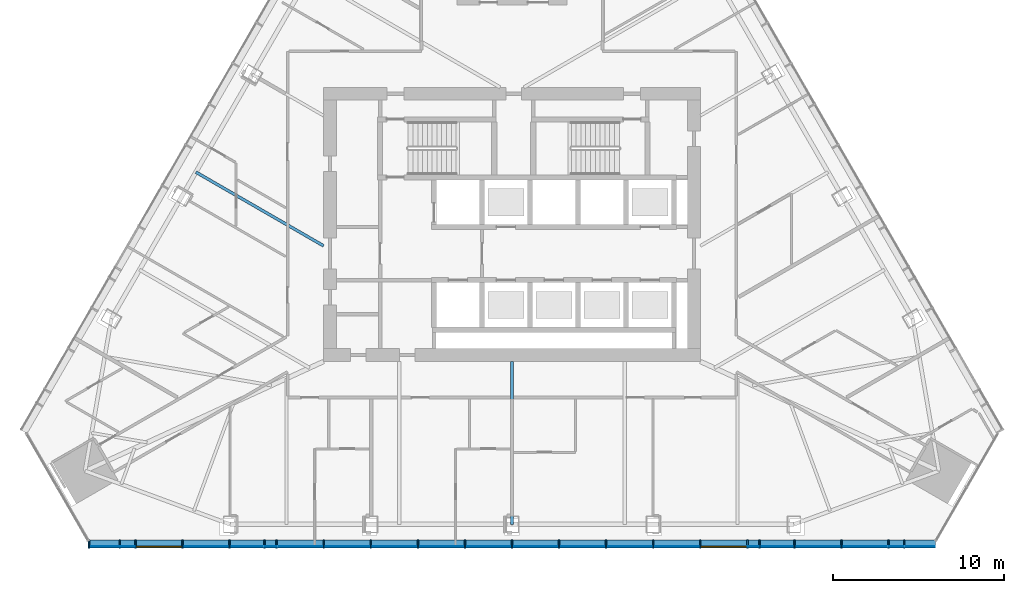
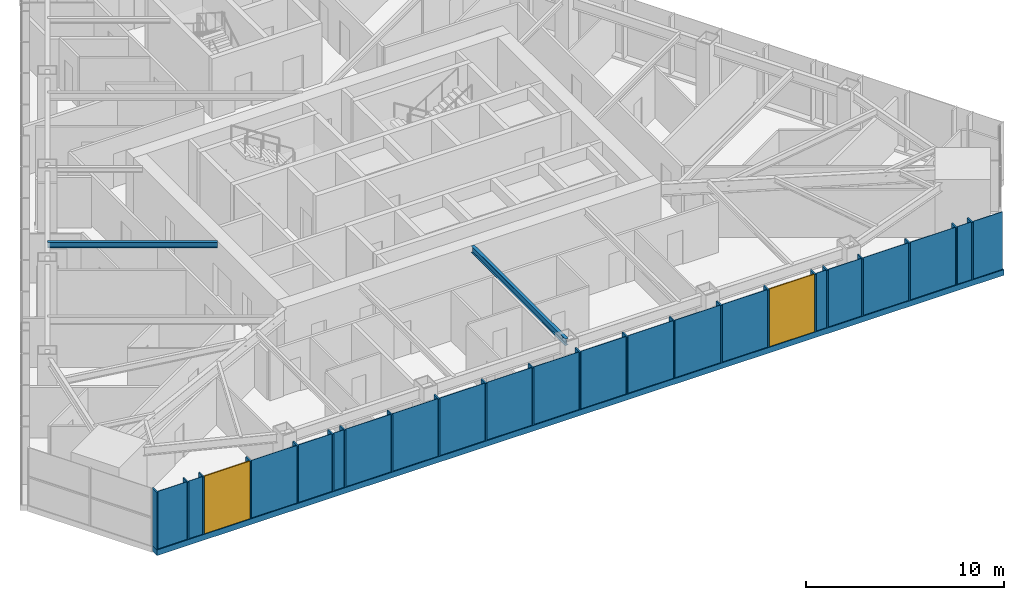
# One storey, part 3 of 16: 23 members, 20 plates, 2 beams, 2 windows, 2 openings, 1 element without a shape of its own.
"""IFC4 building model written with IfcOpenShell, lengths in metres."""

from ifc_helpers import new_model, si_unit, direction, frame, frame_2d, origin, origin_2d, place, context, subcontext, project, spatial, polyline, rectangle, i_section, outline, extrude, material, layer, layer_set, material_profile, profile_set, type_object, element, fill, aggregate, save


model = new_model("IFC4")

# Units and contexts
model_context = context("Model", 3, precision=1e-05, world=origin(), true_north=direction((0.0, 1.0)))
body_context = subcontext(model_context, "Body", "Model", "MODEL_VIEW")
ifc_project = project(units=[si_unit("LENGTHUNIT", "METRE"), si_unit("AREAUNIT", "SQUARE_METRE"), si_unit("VOLUMEUNIT", "CUBIC_METRE"), si_unit("PLANEANGLEUNIT", "RADIAN"), si_unit("MASSUNIT", "GRAM", prefix="KILO")], contexts=[model_context])

# Site, building, storey
site_placement = place(None, origin())
site = spatial("IfcSite", under=ifc_project, at=site_placement, CompositionType="ELEMENT")
building_placement = place(site_placement, origin())
building = spatial("IfcBuilding", under=site, at=building_placement, Name="Firuza Gate Tower and Library", CompositionType="ELEMENT")
storey_placement = place(building_placement, frame((0.0, 0.0, 229.89990234375)))
storey = spatial("IfcBuildingStorey", under=building, at=storey_placement, Name="L54", CompositionType="ELEMENT", Elevation=229.89990234375)

# Curtain wall, openings, members
ifc_material_1 = material(Name="Aluminium 6063-T6", Category="aluminium")
ifc_layer_1 = layer(ifc_material_1, 0.14990234375)
ifc_layer_set_1 = layer_set([ifc_layer_1], Name="Unitised curtain wall, hotel")
curtain_wall_type = type_object("IfcCurtainWallType", Name="Unitised curtain wall, hotel", PredefinedType="NOTDEFINED", material=ifc_layer_set_1)
curtain_wall_placement = place(storey_placement, origin())
curtain_wall = element("IfcCurtainWall", 1, at=curtain_wall_placement, inside=storey, type_object=curtain_wall_type, Name="CW2 L54 S face", PredefinedType="NOTDEFINED")
opening_1_placement = place(curtain_wall_placement, frame((53.066650390625, 56.19091796875, 0.150146484375), z_axis=(0.0, 0.0, 1.0), x_axis=(1.0, 0.0, 0.0)))
opening_1 = element("IfcOpeningElement", 2, at=opening_1_placement, cuts=curtain_wall, Name="Opening WD1-003", PredefinedType="OPENING", context=body_context, shape_type="SweptSolid", body=[
    extrude(rectangle(XDim=2.666748046875, YDim=3.550048828125, at=frame_2d((1.33349609375, 1.77490234375))), frame((0.0, 0.0849609375, 0.0), z_axis=(0.0, -1.0, 0.0), x_axis=(1.0, 0.0, 0.0)), (0.0, 0.0, 1.0), 0.169921875),
])
opening_2_placement = place(curtain_wall_placement, frame((86.026611328125, 56.19091796875, 0.150146484375), z_axis=(0.0, 0.0, 1.0), x_axis=(1.0, 0.0, 0.0)))
opening_2 = element("IfcOpeningElement", 3, at=opening_2_placement, cuts=curtain_wall, Name="Opening WD1-004", PredefinedType="OPENING", context=body_context, shape_type="SweptSolid", body=[
    extrude(rectangle(XDim=2.666748046875, YDim=3.550048828125, at=frame_2d((1.33349609375, 1.77490234375))), frame((0.0, 0.0849609375, 0.0), z_axis=(0.0, -1.0, 0.0), x_axis=(1.0, 0.0, 0.0)), (0.0, 0.0, 1.0), 0.169921875),
])
ifc_material_2 = material(Name="Aluminium 6063-T6", Category="aluminium")
ifc_material_profile_1 = material_profile(ifc_material_2, rectangle(XDim=0.47998046875, YDim=0.080078125, at=origin_2d()))
ifc_profile_set_1 = profile_set([ifc_material_profile_1], Name="Aluminium 6063-T6")
member_type_1 = type_object("IfcMemberType", Name="Curtain wall mullion 80x480", PredefinedType="MULLION", material=ifc_profile_set_1)
member_1_placement = place(storey_placement, frame((50.320068359375, 56.35595703125, 0.150146484375), z_axis=(0.0, 0.0, 1.0), x_axis=(0.0, 1.0, 0.0)))
member_1 = element("IfcMember", 4, at=member_1_placement, type_object=member_type_1, Name="Mullion", PredefinedType="MULLION", context=body_context, shape_type="SweptSolid", body=[
    extrude(rectangle(XDim=0.47998046875, YDim=0.080078125, at=origin_2d()), origin(), (0.0, 0.0, 1.0), 3.550048828125),
])
member_2_placement = place(storey_placement, frame((53.026611328125, 56.35595703125, 0.150146484375), z_axis=(0.0, 0.0, 1.0), x_axis=(0.0, 1.0, 0.0)))
member_2 = element("IfcMember", 5, at=member_2_placement, type_object=member_type_1, Name="Mullion", PredefinedType="MULLION", context=body_context, shape_type="SweptSolid", body=[
    extrude(rectangle(XDim=0.47998046875, YDim=0.080078125, at=origin_2d()), origin(), (0.0, 0.0, 1.0), 3.550048828125),
])
member_3_placement = place(storey_placement, frame((55.7734375, 56.35595703125, 0.150146484375), z_axis=(0.0, 0.0, 1.0), x_axis=(0.0, 1.0, 0.0)))
member_3 = element("IfcMember", 6, at=member_3_placement, type_object=member_type_1, Name="Mullion", PredefinedType="MULLION", context=body_context, shape_type="SweptSolid", body=[
    extrude(rectangle(XDim=0.47998046875, YDim=0.080078125, at=origin_2d()), origin(), (0.0, 0.0, 1.0), 3.550048828125),
])
member_4_placement = place(storey_placement, frame((58.52001953125, 56.35595703125, 0.150146484375), z_axis=(0.0, 0.0, 1.0), x_axis=(0.0, 1.0, 0.0)))
member_4 = element("IfcMember", 7, at=member_4_placement, type_object=member_type_1, Name="Mullion", PredefinedType="MULLION", context=body_context, shape_type="SweptSolid", body=[
    extrude(rectangle(XDim=0.47998046875, YDim=0.080078125, at=origin_2d()), origin(), (0.0, 0.0, 1.0), 3.550048828125),
])
member_5_placement = place(storey_placement, frame((61.2666015625, 56.35595703125, 0.150146484375), z_axis=(0.0, 0.0, 1.0), x_axis=(0.0, 1.0, 0.0)))
member_5 = element("IfcMember", 8, at=member_5_placement, type_object=member_type_1, Name="Mullion", PredefinedType="MULLION", context=body_context, shape_type="SweptSolid", body=[
    extrude(rectangle(XDim=0.47998046875, YDim=0.080078125, at=origin_2d()), origin(), (0.0, 0.0, 1.0), 3.550048828125),
])
member_6_placement = place(storey_placement, frame((64.013427734375, 56.35595703125, 0.150146484375), z_axis=(0.0, 0.0, 1.0), x_axis=(0.0, 1.0, 0.0)))
member_6 = element("IfcMember", 9, at=member_6_placement, type_object=member_type_1, Name="Mullion", PredefinedType="MULLION", context=body_context, shape_type="SweptSolid", body=[
    extrude(rectangle(XDim=0.47998046875, YDim=0.080078125, at=origin_2d()), origin(), (0.0, 0.0, 1.0), 3.550048828125),
])
member_7_placement = place(storey_placement, frame((66.760009765625, 56.35595703125, 0.150146484375), z_axis=(0.0, 0.0, 1.0), x_axis=(0.0, 1.0, 0.0)))
member_7 = element("IfcMember", 10, at=member_7_placement, type_object=member_type_1, Name="Mullion", PredefinedType="MULLION", context=body_context, shape_type="SweptSolid", body=[
    extrude(rectangle(XDim=0.47998046875, YDim=0.080078125, at=origin_2d()), origin(), (0.0, 0.0, 1.0), 3.550048828125),
])
member_8_placement = place(storey_placement, frame((69.506591796875, 56.35595703125, 0.150146484375), z_axis=(0.0, 0.0, 1.0), x_axis=(0.0, 1.0, 0.0)))
member_8 = element("IfcMember", 11, at=member_8_placement, type_object=member_type_1, Name="Mullion", PredefinedType="MULLION", context=body_context, shape_type="SweptSolid", body=[
    extrude(rectangle(XDim=0.47998046875, YDim=0.080078125, at=origin_2d()), origin(), (0.0, 0.0, 1.0), 3.550048828125),
])
member_9_placement = place(storey_placement, frame((72.25341796875, 56.35595703125, 0.150146484375), z_axis=(0.0, 0.0, 1.0), x_axis=(0.0, 1.0, 0.0)))
member_9 = element("IfcMember", 12, at=member_9_placement, type_object=member_type_1, Name="Mullion", PredefinedType="MULLION", context=body_context, shape_type="SweptSolid", body=[
    extrude(rectangle(XDim=0.47998046875, YDim=0.080078125, at=origin_2d()), origin(), (0.0, 0.0, 1.0), 3.550048828125),
])
member_10_placement = place(storey_placement, frame((75.0, 56.35595703125, 0.150146484375), z_axis=(0.0, 0.0, 1.0), x_axis=(0.0, 1.0, 0.0)))
member_10 = element("IfcMember", 13, at=member_10_placement, type_object=member_type_1, Name="Mullion", PredefinedType="MULLION", context=body_context, shape_type="SweptSolid", body=[
    extrude(rectangle(XDim=0.47998046875, YDim=0.080078125, at=origin_2d()), origin(), (0.0, 0.0, 1.0), 3.550048828125),
])
member_11_placement = place(storey_placement, frame((77.74658203125, 56.35595703125, 0.150146484375), z_axis=(0.0, 0.0, 1.0), x_axis=(0.0, 1.0, 0.0)))
member_11 = element("IfcMember", 14, at=member_11_placement, type_object=member_type_1, Name="Mullion", PredefinedType="MULLION", context=body_context, shape_type="SweptSolid", body=[
    extrude(rectangle(XDim=0.47998046875, YDim=0.080078125, at=origin_2d()), origin(), (0.0, 0.0, 1.0), 3.550048828125),
])
member_12_placement = place(storey_placement, frame((80.493408203125, 56.35595703125, 0.150146484375), z_axis=(0.0, 0.0, 1.0), x_axis=(0.0, 1.0, 0.0)))
member_12 = element("IfcMember", 15, at=member_12_placement, type_object=member_type_1, Name="Mullion", PredefinedType="MULLION", context=body_context, shape_type="SweptSolid", body=[
    extrude(rectangle(XDim=0.47998046875, YDim=0.080078125, at=origin_2d()), origin(), (0.0, 0.0, 1.0), 3.550048828125),
])
member_13_placement = place(storey_placement, frame((83.239990234375, 56.35595703125, 0.150146484375), z_axis=(0.0, 0.0, 1.0), x_axis=(0.0, 1.0, 0.0)))
member_13 = element("IfcMember", 16, at=member_13_placement, type_object=member_type_1, Name="Mullion", PredefinedType="MULLION", context=body_context, shape_type="SweptSolid", body=[
    extrude(rectangle(XDim=0.47998046875, YDim=0.080078125, at=origin_2d()), origin(), (0.0, 0.0, 1.0), 3.550048828125),
])
member_14_placement = place(storey_placement, frame((85.986572265625, 56.35595703125, 0.150146484375), z_axis=(0.0, 0.0, 1.0), x_axis=(0.0, 1.0, 0.0)))
member_14 = element("IfcMember", 17, at=member_14_placement, type_object=member_type_1, Name="Mullion", PredefinedType="MULLION", context=body_context, shape_type="SweptSolid", body=[
    extrude(rectangle(XDim=0.47998046875, YDim=0.080078125, at=origin_2d()), origin(), (0.0, 0.0, 1.0), 3.550048828125),
])
member_15_placement = place(storey_placement, frame((88.7333984375, 56.35595703125, 0.150146484375), z_axis=(0.0, 0.0, 1.0), x_axis=(0.0, 1.0, 0.0)))
member_15 = element("IfcMember", 18, at=member_15_placement, type_object=member_type_1, Name="Mullion", PredefinedType="MULLION", context=body_context, shape_type="SweptSolid", body=[
    extrude(rectangle(XDim=0.47998046875, YDim=0.080078125, at=origin_2d()), origin(), (0.0, 0.0, 1.0), 3.550048828125),
])
member_16_placement = place(storey_placement, frame((91.47998046875, 56.35595703125, 0.150146484375), z_axis=(0.0, 0.0, 1.0), x_axis=(0.0, 1.0, 0.0)))
member_16 = element("IfcMember", 19, at=member_16_placement, type_object=member_type_1, Name="Mullion", PredefinedType="MULLION", context=body_context, shape_type="SweptSolid", body=[
    extrude(rectangle(XDim=0.47998046875, YDim=0.080078125, at=origin_2d()), origin(), (0.0, 0.0, 1.0), 3.550048828125),
])
member_17_placement = place(storey_placement, frame((94.2265625, 56.35595703125, 0.150146484375), z_axis=(0.0, 0.0, 1.0), x_axis=(0.0, 1.0, 0.0)))
member_17 = element("IfcMember", 20, at=member_17_placement, type_object=member_type_1, Name="Mullion", PredefinedType="MULLION", context=body_context, shape_type="SweptSolid", body=[
    extrude(rectangle(XDim=0.47998046875, YDim=0.080078125, at=origin_2d()), origin(), (0.0, 0.0, 1.0), 3.550048828125),
])
member_18_placement = place(storey_placement, frame((96.973388671875, 56.35595703125, 0.150146484375), z_axis=(0.0, 0.0, 1.0), x_axis=(0.0, 1.0, 0.0)))
member_18 = element("IfcMember", 21, at=member_18_placement, type_object=member_type_1, Name="Mullion", PredefinedType="MULLION", context=body_context, shape_type="SweptSolid", body=[
    extrude(rectangle(XDim=0.47998046875, YDim=0.080078125, at=origin_2d()), origin(), (0.0, 0.0, 1.0), 3.550048828125),
])
member_19_placement = place(storey_placement, frame((52.108642578125, 56.35595703125, 0.150146484375), z_axis=(0.0, 0.0, 1.0), x_axis=(0.0, 1.0, 0.0)))
member_19 = element("IfcMember", 22, at=member_19_placement, type_object=member_type_1, Name="Mullion", PredefinedType="MULLION", context=body_context, shape_type="SweptSolid", body=[
    extrude(rectangle(XDim=0.47998046875, YDim=0.080078125, at=origin_2d()), origin(), (0.0, 0.0, 1.0), 3.550048828125),
])
member_20_placement = place(storey_placement, frame((60.564453125, 56.35595703125, 0.150146484375), z_axis=(0.0, 0.0, 1.0), x_axis=(0.0, 1.0, 0.0)))
member_20 = element("IfcMember", 23, at=member_20_placement, type_object=member_type_1, Name="Mullion", PredefinedType="MULLION", context=body_context, shape_type="SweptSolid", body=[
    extrude(rectangle(XDim=0.47998046875, YDim=0.080078125, at=origin_2d()), origin(), (0.0, 0.0, 1.0), 3.550048828125),
])
member_21_placement = place(storey_placement, frame((89.435546875, 56.35595703125, 0.150146484375), z_axis=(0.0, 0.0, 1.0), x_axis=(0.0, 1.0, 0.0)))
member_21 = element("IfcMember", 24, at=member_21_placement, type_object=member_type_1, Name="Mullion", PredefinedType="MULLION", context=body_context, shape_type="SweptSolid", body=[
    extrude(rectangle(XDim=0.47998046875, YDim=0.080078125, at=origin_2d()), origin(), (0.0, 0.0, 1.0), 3.550048828125),
])
member_22_placement = place(storey_placement, frame((97.891357421875, 56.35595703125, 0.150146484375), z_axis=(0.0, 0.0, 1.0), x_axis=(0.0, 1.0, 0.0)))
member_22 = element("IfcMember", 25, at=member_22_placement, type_object=member_type_1, Name="Mullion", PredefinedType="MULLION", context=body_context, shape_type="SweptSolid", body=[
    extrude(rectangle(XDim=0.47998046875, YDim=0.080078125, at=origin_2d()), origin(), (0.0, 0.0, 1.0), 3.550048828125),
])
ifc_material_3 = material(Name="Aluminium 6063-T6", Category="aluminium")
ifc_material_profile_2 = material_profile(ifc_material_3, rectangle(XDim=0.47998046875, YDim=0.35009765625, at=origin_2d()))
ifc_profile_set_2 = profile_set([ifc_material_profile_2], Name="Aluminium 6063-T6")
member_type_2 = type_object("IfcMemberType", Name="Curtain wall transom 350x480", PredefinedType="USERDEFINED", material=ifc_profile_set_2)
member_23_placement = place(storey_placement, frame((50.280029296875, 56.35595703125, -0.02490234375), z_axis=(1.0, 0.0, 0.0), x_axis=(0.0, 1.0, 0.0)))
member_23 = element("IfcMember", 26, at=member_23_placement, type_object=member_type_2, Name="Transom", ObjectType="TRANSOM", PredefinedType="USERDEFINED", context=body_context, shape_type="SweptSolid", body=[
    extrude(rectangle(XDim=0.47998046875, YDim=0.35009765625, at=origin_2d()), origin(), (0.0, 0.0, 1.0), 49.43994140625),
])

# Beams
ifc_material_4 = material(Name="Steel S355", Category="steel")
ifc_material_profile_3 = material_profile(ifc_material_4, i_section(OverallWidth=0.1708984375, OverallDepth=0.35498046875, WebThickness=0.007080078125, FlangeThickness=0.01171875, at=origin_2d()))
ifc_profile_set_3 = profile_set([ifc_material_profile_3], Name="Steel S355")
beam_type_1 = type_object("IfcBeamType", Name="W360x51 Floor beam", PredefinedType="JOIST", material=ifc_profile_set_3)
beam_1_placement = place(storey_placement, frame((56.55078125, 78.05322265625, 3.522705078125), z_axis=(0.866026773083, -0.499997628298, 0.0), x_axis=(0.499997628298, 0.866026773083, 0.0)))
element("IfcBeam", 27, at=beam_1_placement, inside=storey, type_object=beam_type_1, Name="Floor beam L54 s83", PredefinedType="JOIST", context=body_context, shape_type="SweptSolid", body=[
    extrude(i_section(OverallWidth=0.1708984375, OverallDepth=0.35498046875, WebThickness=0.007080078125, FlangeThickness=0.01171875, at=origin_2d()), origin(), (0.0, 0.0, 1.0), 8.6015625),
])
ifc_material_5 = material(Name="Steel S355", Category="steel")
ifc_material_profile_4 = material_profile(ifc_material_5, i_section(OverallWidth=0.177978515625, OverallDepth=0.406982421875, WebThickness=0.0078125, FlangeThickness=0.0126953125, at=origin_2d()))
ifc_profile_set_4 = profile_set([ifc_material_profile_4], Name="Steel S355")
beam_type_2 = type_object("IfcBeamType", Name="W410x60 Floor beam", PredefinedType="JOIST", material=ifc_profile_set_4)
beam_2_placement = place(storey_placement, frame((75.0, 57.49609375, 3.49658203125), z_axis=(0.0, 1.0, 0.0), x_axis=(-1.0, 0.0, 0.0)))
element("IfcBeam", 28, at=beam_2_placement, inside=storey, type_object=beam_type_2, Name="Floor beam L54 s22", PredefinedType="JOIST", context=body_context, shape_type="SweptSolid", body=[
    extrude(i_section(OverallWidth=0.177978515625, OverallDepth=0.406982421875, WebThickness=0.0078125, FlangeThickness=0.0126953125, at=origin_2d()), origin(), (0.0, 0.0, 1.0), 9.50390625),
])

# Plate
ifc_material_6 = material(Name="Fritted glass", Category="glass")
ifc_layer_2 = layer(ifc_material_6, 0.030029296875)
ifc_layer_set_2 = layer_set([ifc_layer_2], Name="Fritted glass unit, hotel")
plate_type_1 = type_object("IfcPlateType", Name="Fritted glass unit, hotel", PredefinedType="CURTAIN_PANEL", material=ifc_layer_set_2)
plate_1_placement = place(storey_placement, frame((52.148681640625, 56.176025390625, 0.150146484375), z_axis=(0.0, -1.0, 0.0), x_axis=(1.0, 0.0, 0.0)))
plate_1 = element("IfcPlate", 29, at=plate_1_placement, type_object=plate_type_1, Name="Glass unit", PredefinedType="CURTAIN_PANEL", context=body_context, shape_type="SweptSolid", body=[
    extrude(outline(polyline([(0.0, 0.0), (0.838134765625, 0.0), (0.838134765625, 3.550048828125), (0.0, 3.550048828125), (0.0, 0.0)])), origin(), (0.0, 0.0, -1.0), 0.030029296875),
])

plate_2_placement = place(storey_placement, frame((60.6044921875, 56.176025390625, 0.150146484375), z_axis=(0.0, -1.0, 0.0), x_axis=(1.0, 0.0, 0.0)))
plate_2 = element("IfcPlate", 30, at=plate_2_placement, type_object=plate_type_1, Name="Glass unit", PredefinedType="CURTAIN_PANEL", context=body_context, shape_type="SweptSolid", body=[
    extrude(outline(polyline([(0.0, 0.0), (0.622314453125, 0.0), (0.622314453125, 3.550048828125), (0.0, 3.550048828125), (0.0, 0.0)])), origin(), (0.0, 0.0, -1.0), 0.030029296875),
])

plate_3_placement = place(storey_placement, frame((61.306640625, 56.176025390625, 0.150146484375), z_axis=(0.0, -1.0, 0.0), x_axis=(1.0, 0.0, 0.0)))
plate_3 = element("IfcPlate", 31, at=plate_3_placement, type_object=plate_type_1, Name="Glass unit", PredefinedType="CURTAIN_PANEL", context=body_context, shape_type="SweptSolid", body=[
    extrude(outline(polyline([(0.0, 0.0), (2.666748046875, 0.0), (2.666748046875, 3.550048828125), (0.0, 3.550048828125), (0.0, 0.0)])), origin(), (0.0, 0.0, -1.0), 0.030029296875),
])

plate_4_placement = place(storey_placement, frame((69.546630859375, 56.176025390625, 0.150146484375), z_axis=(0.0, -1.0, 0.0), x_axis=(1.0, 0.0, 0.0)))
plate_4 = element("IfcPlate", 32, at=plate_4_placement, type_object=plate_type_1, Name="Glass unit", PredefinedType="CURTAIN_PANEL", context=body_context, shape_type="SweptSolid", body=[
    extrude(outline(polyline([(0.0, 0.0), (2.666748046875, 0.0), (2.666748046875, 3.550048828125), (0.0, 3.550048828125), (0.0, 0.0)])), origin(), (0.0, 0.0, -1.0), 0.030029296875),
])

plate_5_placement = place(storey_placement, frame((77.78662109375, 56.176025390625, 0.150146484375), z_axis=(0.0, -1.0, 0.0), x_axis=(1.0, 0.0, 0.0)))
plate_5 = element("IfcPlate", 33, at=plate_5_placement, type_object=plate_type_1, Name="Glass unit", PredefinedType="CURTAIN_PANEL", context=body_context, shape_type="SweptSolid", body=[
    extrude(outline(polyline([(0.0, 0.0), (2.666748046875, 0.0), (2.666748046875, 3.550048828125), (0.0, 3.550048828125), (0.0, 0.0)])), origin(), (0.0, 0.0, -1.0), 0.030029296875),
])

plate_6_placement = place(storey_placement, frame((88.773193359375, 56.176025390625, 0.150146484375), z_axis=(0.0, -1.0, 0.0), x_axis=(1.0, 0.0, 0.0)))
plate_6 = element("IfcPlate", 34, at=plate_6_placement, type_object=plate_type_1, Name="Glass unit", PredefinedType="CURTAIN_PANEL", context=body_context, shape_type="SweptSolid", body=[
    extrude(outline(polyline([(0.0, 0.0), (0.622314453125, 0.0), (0.622314453125, 3.550048828125), (0.0, 3.550048828125), (0.0, 0.0)])), origin(), (0.0, 0.0, -1.0), 0.030029296875),
])

plate_7_placement = place(storey_placement, frame((94.2666015625, 56.176025390625, 0.150146484375), z_axis=(0.0, -1.0, 0.0), x_axis=(1.0, 0.0, 0.0)))
plate_7 = element("IfcPlate", 35, at=plate_7_placement, type_object=plate_type_1, Name="Glass unit", PredefinedType="CURTAIN_PANEL", context=body_context, shape_type="SweptSolid", body=[
    extrude(outline(polyline([(0.0, 0.0), (2.666748046875, 0.0), (2.666748046875, 3.550048828125), (0.0, 3.550048828125), (0.0, 0.0)])), origin(), (0.0, 0.0, -1.0), 0.030029296875),
])

plate_8_placement = place(storey_placement, frame((97.01318359375, 56.176025390625, 0.150146484375), z_axis=(0.0, -1.0, 0.0), x_axis=(1.0, 0.0, 0.0)))
plate_8 = element("IfcPlate", 36, at=plate_8_placement, type_object=plate_type_1, Name="Glass unit", PredefinedType="CURTAIN_PANEL", context=body_context, shape_type="SweptSolid", body=[
    extrude(outline(polyline([(0.0, 0.0), (0.838134765625, 0.0), (0.838134765625, 3.550048828125), (0.0, 3.550048828125), (0.0, 0.0)])), origin(), (0.0, 0.0, -1.0), 0.030029296875),
])

ifc_material_7 = material(Name="Glazed ceramic tile")
ifc_layer_3 = layer(ifc_material_7, 0.030029296875)
ifc_layer_set_3 = layer_set([ifc_layer_3], Name="Opaque ceramic panel, hotel")
plate_type_2 = type_object("IfcPlateType", Name="Opaque ceramic panel, hotel", PredefinedType="CURTAIN_PANEL", material=ifc_layer_set_3)
plate_9_placement = place(storey_placement, frame((50.320068359375, 56.176025390625, 0.150146484375), z_axis=(0.0, -1.0, 0.0), x_axis=(1.0, 0.0, 0.0)))
plate_9 = element("IfcPlate", 37, at=plate_9_placement, type_object=plate_type_2, Name="Opaque ceramic panel", PredefinedType="CURTAIN_PANEL", context=body_context, shape_type="SweptSolid", body=[
    extrude(outline(polyline([(0.0, 0.0), (1.748779296875, 0.0), (1.748779296875, 3.550048828125), (0.0, 3.550048828125), (0.0, 0.0)])), origin(), (0.0, 0.0, -1.0), 0.030029296875),
])

plate_10_placement = place(storey_placement, frame((55.8134765625, 56.176025390625, 0.150146484375), z_axis=(0.0, -1.0, 0.0), x_axis=(1.0, 0.0, 0.0)))
plate_10 = element("IfcPlate", 38, at=plate_10_placement, type_object=plate_type_2, Name="Opaque ceramic panel", PredefinedType="CURTAIN_PANEL", context=body_context, shape_type="SweptSolid", body=[
    extrude(outline(polyline([(0.0, 0.0), (2.66650390625, 0.0), (2.66650390625, 3.550048828125), (0.0, 3.550048828125), (0.0, 0.0)])), origin(), (0.0, 0.0, -1.0), 0.030029296875),
])

plate_11_placement = place(storey_placement, frame((58.56005859375, 56.176025390625, 0.150146484375), z_axis=(0.0, -1.0, 0.0), x_axis=(1.0, 0.0, 0.0)))
plate_11 = element("IfcPlate", 39, at=plate_11_placement, type_object=plate_type_2, Name="Opaque ceramic panel", PredefinedType="CURTAIN_PANEL", context=body_context, shape_type="SweptSolid", body=[
    extrude(outline(polyline([(0.0, 0.0), (1.96435546875, 0.0), (1.96435546875, 3.550048828125), (0.0, 3.550048828125), (0.0, 0.0)])), origin(), (0.0, 0.0, -1.0), 0.030029296875),
])

plate_12_placement = place(storey_placement, frame((64.053466796875, 56.176025390625, 0.150146484375), z_axis=(0.0, -1.0, 0.0), x_axis=(1.0, 0.0, 0.0)))
plate_12 = element("IfcPlate", 40, at=plate_12_placement, type_object=plate_type_2, Name="Opaque ceramic panel", PredefinedType="CURTAIN_PANEL", context=body_context, shape_type="SweptSolid", body=[
    extrude(outline(polyline([(0.0, 0.0), (2.66650390625, 0.0), (2.66650390625, 3.550048828125), (0.0, 3.550048828125), (0.0, 0.0)])), origin(), (0.0, 0.0, -1.0), 0.030029296875),
])

plate_13_placement = place(storey_placement, frame((66.800048828125, 56.176025390625, 0.150146484375), z_axis=(0.0, -1.0, 0.0), x_axis=(1.0, 0.0, 0.0)))
plate_13 = element("IfcPlate", 41, at=plate_13_placement, type_object=plate_type_2, Name="Opaque ceramic panel", PredefinedType="CURTAIN_PANEL", context=body_context, shape_type="SweptSolid", body=[
    extrude(outline(polyline([(0.0, 0.0), (2.666748046875, 0.0), (2.666748046875, 3.550048828125), (0.0, 3.550048828125), (0.0, 0.0)])), origin(), (0.0, 0.0, -1.0), 0.030029296875),
])

plate_14_placement = place(storey_placement, frame((72.29345703125, 56.176025390625, 0.150146484375), z_axis=(0.0, -1.0, 0.0), x_axis=(1.0, 0.0, 0.0)))
plate_14 = element("IfcPlate", 42, at=plate_14_placement, type_object=plate_type_2, Name="Opaque ceramic panel", PredefinedType="CURTAIN_PANEL", context=body_context, shape_type="SweptSolid", body=[
    extrude(outline(polyline([(0.0, 0.0), (2.66650390625, 0.0), (2.66650390625, 3.550048828125), (0.0, 3.550048828125), (0.0, 0.0)])), origin(), (0.0, 0.0, -1.0), 0.030029296875),
])

plate_15_placement = place(storey_placement, frame((75.0400390625, 56.176025390625, 0.150146484375), z_axis=(0.0, -1.0, 0.0), x_axis=(1.0, 0.0, 0.0)))
plate_15 = element("IfcPlate", 43, at=plate_15_placement, type_object=plate_type_2, Name="Opaque ceramic panel", PredefinedType="CURTAIN_PANEL", context=body_context, shape_type="SweptSolid", body=[
    extrude(outline(polyline([(0.0, 0.0), (2.66650390625, 0.0), (2.66650390625, 3.550048828125), (0.0, 3.550048828125), (0.0, 0.0)])), origin(), (0.0, 0.0, -1.0), 0.030029296875),
])

plate_16_placement = place(storey_placement, frame((80.533203125, 56.176025390625, 0.150146484375), z_axis=(0.0, -1.0, 0.0), x_axis=(1.0, 0.0, 0.0)))
plate_16 = element("IfcPlate", 44, at=plate_16_placement, type_object=plate_type_2, Name="Opaque ceramic panel", PredefinedType="CURTAIN_PANEL", context=body_context, shape_type="SweptSolid", body=[
    extrude(outline(polyline([(0.0, 0.0), (2.666748046875, 0.0), (2.666748046875, 3.550048828125), (0.0, 3.550048828125), (0.0, 0.0)])), origin(), (0.0, 0.0, -1.0), 0.030029296875),
])

plate_17_placement = place(storey_placement, frame((83.280029296875, 56.176025390625, 0.150146484375), z_axis=(0.0, -1.0, 0.0), x_axis=(1.0, 0.0, 0.0)))
plate_17 = element("IfcPlate", 45, at=plate_17_placement, type_object=plate_type_2, Name="Opaque ceramic panel", PredefinedType="CURTAIN_PANEL", context=body_context, shape_type="SweptSolid", body=[
    extrude(outline(polyline([(0.0, 0.0), (2.66650390625, 0.0), (2.66650390625, 3.550048828125), (0.0, 3.550048828125), (0.0, 0.0)])), origin(), (0.0, 0.0, -1.0), 0.030029296875),
])

plate_18_placement = place(storey_placement, frame((89.4755859375, 56.176025390625, 0.150146484375), z_axis=(0.0, -1.0, 0.0), x_axis=(1.0, 0.0, 0.0)))
plate_18 = element("IfcPlate", 46, at=plate_18_placement, type_object=plate_type_2, Name="Opaque ceramic panel", PredefinedType="CURTAIN_PANEL", context=body_context, shape_type="SweptSolid", body=[
    extrude(outline(polyline([(0.0, 0.0), (1.96435546875, 0.0), (1.96435546875, 3.550048828125), (0.0, 3.550048828125), (0.0, 0.0)])), origin(), (0.0, 0.0, -1.0), 0.030029296875),
])

plate_19_placement = place(storey_placement, frame((91.52001953125, 56.176025390625, 0.150146484375), z_axis=(0.0, -1.0, 0.0), x_axis=(1.0, 0.0, 0.0)))
plate_19 = element("IfcPlate", 47, at=plate_19_placement, type_object=plate_type_2, Name="Opaque ceramic panel", PredefinedType="CURTAIN_PANEL", context=body_context, shape_type="SweptSolid", body=[
    extrude(outline(polyline([(0.0, 0.0), (2.66650390625, 0.0), (2.66650390625, 3.550048828125), (0.0, 3.550048828125), (0.0, 0.0)])), origin(), (0.0, 0.0, -1.0), 0.030029296875),
])

plate_20_placement = place(storey_placement, frame((97.93115234375, 56.176025390625, 0.150146484375), z_axis=(0.0, -1.0, 0.0), x_axis=(1.0, 0.0, 0.0)))
plate_20 = element("IfcPlate", 48, at=plate_20_placement, type_object=plate_type_2, Name="Opaque ceramic panel", PredefinedType="CURTAIN_PANEL", context=body_context, shape_type="SweptSolid", body=[
    extrude(outline(polyline([(0.0, 0.0), (1.748779296875, 0.0), (1.748779296875, 3.550048828125), (0.0, 3.550048828125), (0.0, 0.0)])), origin(), (0.0, 0.0, -1.0), 0.030029296875),
])

aggregate(curtain_wall, [member_1, member_2, member_3, member_4, member_5, member_6, member_7, member_8, member_9, member_10, member_11, member_12, member_13, member_14, member_15, member_16, member_17, member_18, member_23, plate_9, plate_1, member_19, plate_10, plate_11, plate_2, member_20, plate_3, plate_12, plate_13, plate_4, plate_14, plate_15, plate_5, plate_16, plate_17, plate_6, plate_18, member_21, plate_19, plate_7, plate_8, plate_20, member_22])

# Window
ifc_material_8 = material(Name="Aluminium 6063-T6 and glass", Category="aluminium")
ifc_layer_4 = layer(ifc_material_8, 0.030029296875)
ifc_layer_set_4 = layer_set([ifc_layer_4], Name="Operable glazed unit")
window_type = type_object("IfcWindowType", Name="Operable glazed unit", PartitioningType="SINGLE_PANEL", PredefinedType="WINDOW", material=ifc_layer_set_4)
window_1_placement = place(opening_1_placement, origin())
window_1 = element("IfcWindow", 49, at=window_1_placement, inside=storey, type_object=window_type, Name="Operable glazed unit", OverallHeight=3.550048828125, OverallWidth=2.666748046875, PartitioningType="SINGLE_PANEL", PredefinedType="WINDOW", context=body_context, shape_type="SweptSolid", body=[
    extrude(rectangle(XDim=2.666748046875, YDim=3.550048828125, at=frame_2d((1.33349609375, 1.77490234375))), frame((0.0, 0.030029296875, 0.0), z_axis=(0.0, -1.0, 0.0), x_axis=(1.0, 0.0, 0.0)), (0.0, 0.0, 1.0), 0.06005859375),
])

fill(opening_1, window_1)

window_2_placement = place(opening_2_placement, origin())
window_2 = element("IfcWindow", 50, at=window_2_placement, inside=storey, type_object=window_type, Name="Operable glazed unit", OverallHeight=3.550048828125, OverallWidth=2.666748046875, PartitioningType="SINGLE_PANEL", PredefinedType="WINDOW", context=body_context, shape_type="SweptSolid", body=[
    extrude(rectangle(XDim=2.666748046875, YDim=3.550048828125, at=frame_2d((1.33349609375, 1.77490234375))), frame((0.0, 0.030029296875, 0.0), z_axis=(0.0, -1.0, 0.0), x_axis=(1.0, 0.0, 0.0)), (0.0, 0.0, 1.0), 0.06005859375),
])

fill(opening_2, window_2)

save(model, "model.ifc")
